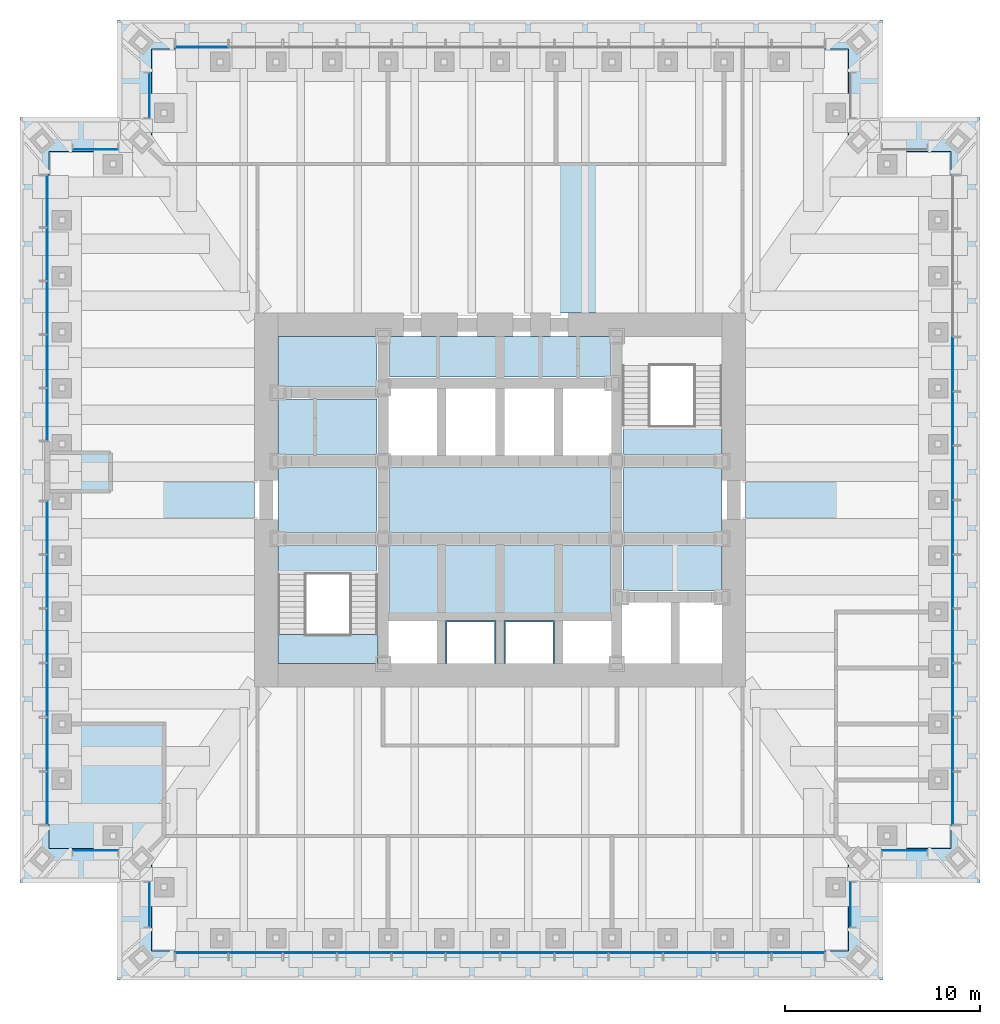
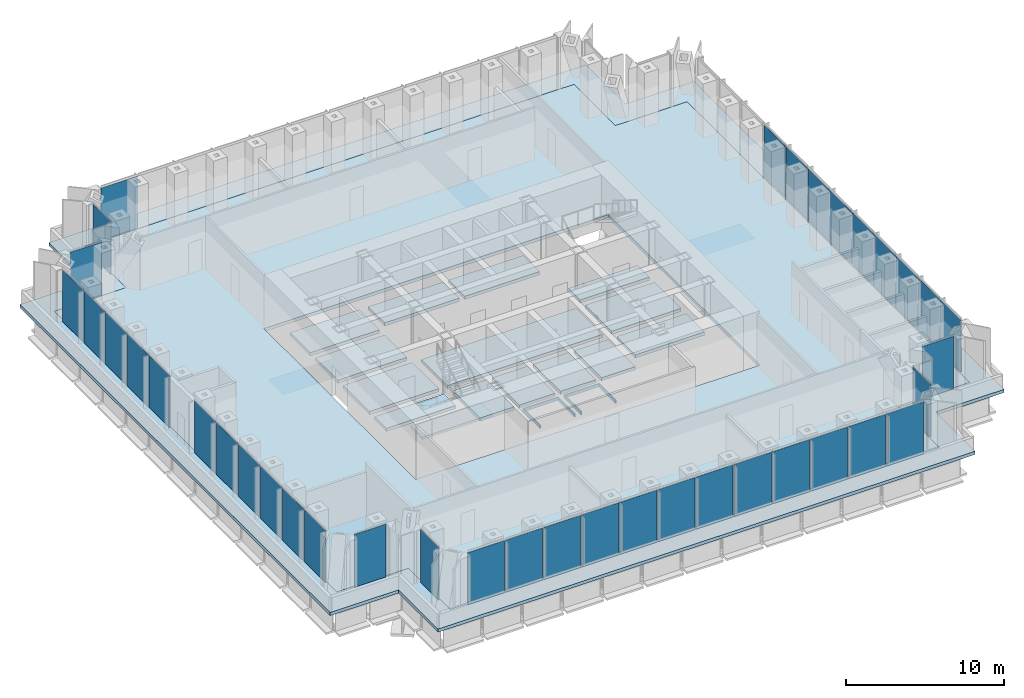
# One storey, part 7 of 13: 39 plates, 19 slabs, 12 elements without a shape of their own.
"""IFC4 building model written with IfcOpenShell, lengths in metres."""

from ifc_helpers import new_model, si_unit, direction, frame, origin, origin_2d, place, context, subcontext, project, spatial, polyline, rectangle, outline, extrude, material, layer, layer_set, type_object, element, aggregate, save


model = new_model("IFC4")

# Units and contexts
model_context = context("Model", 3, precision=1e-05, world=origin(), true_north=direction((0.0, 1.0)))
body_context = subcontext(model_context, "Body", "Model", "MODEL_VIEW")
ifc_project = project(units=[si_unit("LENGTHUNIT", "METRE"), si_unit("AREAUNIT", "SQUARE_METRE"), si_unit("VOLUMEUNIT", "CUBIC_METRE"), si_unit("PLANEANGLEUNIT", "RADIAN"), si_unit("MASSUNIT", "GRAM", prefix="KILO")], contexts=[model_context])

# Site, building, storey
site_placement = place(None, origin())
site = spatial("IfcSite", under=ifc_project, at=site_placement, CompositionType="ELEMENT")
building_placement = place(site_placement, origin())
building = spatial("IfcBuilding", under=site, at=building_placement, Name="Daluyong Arena Tower", CompositionType="ELEMENT")
storey_placement = place(building_placement, frame((0.0, 0.0, 108.10009765625)))
storey = spatial("IfcBuildingStorey", under=building, at=storey_placement, Name="L23", CompositionType="ELEMENT", Elevation=108.10009765625)

# Curtain wall, plates
ifc_material_1 = material(Name="Bronze anodised aluminium and glass", Category="aluminium")
curtain_wall_type_1 = type_object("IfcCurtainWallType", Name="Curtain wall CW2", PredefinedType="USERDEFINED", material=ifc_material_1)
curtain_wall_1_placement = place(storey_placement, origin())
curtain_wall_1 = element("IfcCurtainWall", 1, at=curtain_wall_1_placement, inside=storey, type_object=curtain_wall_type_1, Name="curtain wall L23 S", ObjectType="UNITISED CURTAIN WALL", PredefinedType="USERDEFINED")
ifc_material_2 = material(Name="Tinted double glazed unit", Category="glass")
ifc_layer_1 = layer(ifc_material_2, 0.031982421875)
ifc_layer_set_1 = layer_set([ifc_layer_1], Name="Tinted double glazed unit")
plate_type_1 = type_object("IfcPlateType", Name="CW2 panel 32", PredefinedType="CURTAIN_PANEL", material=ifc_layer_set_1)
plate_1_placement = place(storey_placement, frame((40.679931640625, 56.75, 0.0), z_axis=(0.0, 0.0, 1.0), x_axis=(1.0, 0.0, 0.0)))
plate_1 = element("IfcPlate", 2, at=plate_1_placement, type_object=plate_type_1, Name="curtain wall L23 S panel 1", PredefinedType="CURTAIN_PANEL", context=body_context, shape_type="SweptSolid", body=[
    extrude(rectangle(XDim=2.669189453125, YDim=0.031982421875, at=origin_2d()), origin(), (0.0, 0.0, 1.0), 4.02001953125),
])
plate_2_placement = place(storey_placement, frame((43.44921875, 56.75, 0.0), z_axis=(0.0, 0.0, 1.0), x_axis=(1.0, 0.0, 0.0)))
plate_2 = element("IfcPlate", 3, at=plate_2_placement, type_object=plate_type_1, Name="curtain wall L23 S panel 2", PredefinedType="CURTAIN_PANEL", context=body_context, shape_type="SweptSolid", body=[
    extrude(rectangle(XDim=2.708984375, YDim=0.031982421875, at=origin_2d()), origin(), (0.0, 0.0, 1.0), 4.02001953125),
])
plate_3_placement = place(storey_placement, frame((46.23828125, 56.75, 0.0), z_axis=(0.0, 0.0, 1.0), x_axis=(1.0, 0.0, 0.0)))
plate_3 = element("IfcPlate", 4, at=plate_3_placement, type_object=plate_type_1, Name="curtain wall L23 S panel 3", PredefinedType="CURTAIN_PANEL", context=body_context, shape_type="SweptSolid", body=[
    extrude(rectangle(XDim=2.708984375, YDim=0.031982421875, at=origin_2d()), origin(), (0.0, 0.0, 1.0), 4.02001953125),
])
plate_4_placement = place(storey_placement, frame((49.02734375, 56.75, 0.0), z_axis=(0.0, 0.0, 1.0), x_axis=(1.0, 0.0, 0.0)))
plate_4 = element("IfcPlate", 5, at=plate_4_placement, type_object=plate_type_1, Name="curtain wall L23 S panel 4", PredefinedType="CURTAIN_PANEL", context=body_context, shape_type="SweptSolid", body=[
    extrude(rectangle(XDim=2.708984375, YDim=0.031982421875, at=origin_2d()), origin(), (0.0, 0.0, 1.0), 4.02001953125),
])
plate_5_placement = place(storey_placement, frame((51.81640625, 56.75, 0.0), z_axis=(0.0, 0.0, 1.0), x_axis=(1.0, 0.0, 0.0)))
plate_5 = element("IfcPlate", 6, at=plate_5_placement, type_object=plate_type_1, Name="curtain wall L23 S panel 5", PredefinedType="CURTAIN_PANEL", context=body_context, shape_type="SweptSolid", body=[
    extrude(rectangle(XDim=2.708984375, YDim=0.031982421875, at=origin_2d()), origin(), (0.0, 0.0, 1.0), 4.02001953125),
])
plate_6_placement = place(storey_placement, frame((54.60546875, 56.75, 0.0), z_axis=(0.0, 0.0, 1.0), x_axis=(1.0, 0.0, 0.0)))
plate_6 = element("IfcPlate", 7, at=plate_6_placement, type_object=plate_type_1, Name="curtain wall L23 S panel 6", PredefinedType="CURTAIN_PANEL", context=body_context, shape_type="SweptSolid", body=[
    extrude(rectangle(XDim=2.708984375, YDim=0.031982421875, at=origin_2d()), origin(), (0.0, 0.0, 1.0), 4.02001953125),
])
plate_7_placement = place(storey_placement, frame((57.39453125, 56.75, 0.0), z_axis=(0.0, 0.0, 1.0), x_axis=(1.0, 0.0, 0.0)))
plate_7 = element("IfcPlate", 8, at=plate_7_placement, type_object=plate_type_1, Name="curtain wall L23 S panel 7", PredefinedType="CURTAIN_PANEL", context=body_context, shape_type="SweptSolid", body=[
    extrude(rectangle(XDim=2.708984375, YDim=0.031982421875, at=origin_2d()), origin(), (0.0, 0.0, 1.0), 4.02001953125),
])
plate_8_placement = place(storey_placement, frame((60.18359375, 56.75, 0.0), z_axis=(0.0, 0.0, 1.0), x_axis=(1.0, 0.0, 0.0)))
plate_8 = element("IfcPlate", 9, at=plate_8_placement, type_object=plate_type_1, Name="curtain wall L23 S panel 8", PredefinedType="CURTAIN_PANEL", context=body_context, shape_type="SweptSolid", body=[
    extrude(rectangle(XDim=2.708984375, YDim=0.031982421875, at=origin_2d()), origin(), (0.0, 0.0, 1.0), 4.02001953125),
])
plate_9_placement = place(storey_placement, frame((62.97265625, 56.75, 0.0), z_axis=(0.0, 0.0, 1.0), x_axis=(1.0, 0.0, 0.0)))
plate_9 = element("IfcPlate", 10, at=plate_9_placement, type_object=plate_type_1, Name="curtain wall L23 S panel 9", PredefinedType="CURTAIN_PANEL", context=body_context, shape_type="SweptSolid", body=[
    extrude(rectangle(XDim=2.708984375, YDim=0.031982421875, at=origin_2d()), origin(), (0.0, 0.0, 1.0), 4.02001953125),
])
plate_10_placement = place(storey_placement, frame((65.76171875, 56.75, 0.0), z_axis=(0.0, 0.0, 1.0), x_axis=(1.0, 0.0, 0.0)))
plate_10 = element("IfcPlate", 11, at=plate_10_placement, type_object=plate_type_1, Name="curtain wall L23 S panel 10", PredefinedType="CURTAIN_PANEL", context=body_context, shape_type="SweptSolid", body=[
    extrude(rectangle(XDim=2.708984375, YDim=0.031982421875, at=origin_2d()), origin(), (0.0, 0.0, 1.0), 4.02001953125),
])
plate_11_placement = place(storey_placement, frame((68.55078125, 56.75, 0.0), z_axis=(0.0, 0.0, 1.0), x_axis=(1.0, 0.0, 0.0)))
plate_11 = element("IfcPlate", 12, at=plate_11_placement, type_object=plate_type_1, Name="curtain wall L23 S panel 11", PredefinedType="CURTAIN_PANEL", context=body_context, shape_type="SweptSolid", body=[
    extrude(rectangle(XDim=2.708984375, YDim=0.031982421875, at=origin_2d()), origin(), (0.0, 0.0, 1.0), 4.02001953125),
])
plate_12_placement = place(storey_placement, frame((71.320068359375, 56.75, 0.0), z_axis=(0.0, 0.0, 1.0), x_axis=(1.0, 0.0, 0.0)))
plate_12 = element("IfcPlate", 13, at=plate_12_placement, type_object=plate_type_1, Name="curtain wall L23 S panel 12", PredefinedType="CURTAIN_PANEL", context=body_context, shape_type="SweptSolid", body=[
    extrude(rectangle(XDim=2.669189453125, YDim=0.031982421875, at=origin_2d()), origin(), (0.0, 0.0, 1.0), 4.02001953125),
])
aggregate(curtain_wall_1, [plate_1, plate_2, plate_3, plate_4, plate_5, plate_6, plate_7, plate_8, plate_9, plate_10, plate_11, plate_12])

curtain_wall_2_placement = place(storey_placement, origin())
curtain_wall_2 = element("IfcCurtainWall", 14, at=curtain_wall_2_placement, inside=storey, type_object=curtain_wall_type_1, Name="curtain wall L23 E", ObjectType="UNITISED CURTAIN WALL", PredefinedType="USERDEFINED")
plate_13_placement = place(storey_placement, frame((79.25, 64.679931640625, 0.0), z_axis=(0.0, 0.0, 1.0), x_axis=(0.0, 1.0, 0.0)))
plate_13 = element("IfcPlate", 15, at=plate_13_placement, type_object=plate_type_1, Name="curtain wall L23 E panel 1", PredefinedType="CURTAIN_PANEL", context=body_context, shape_type="SweptSolid", body=[
    extrude(rectangle(XDim=2.669189453125, YDim=0.031982421875, at=origin_2d()), origin(), (0.0, 0.0, 1.0), 4.02001953125),
])
plate_14_placement = place(storey_placement, frame((79.25, 67.44921875, 0.0), z_axis=(0.0, 0.0, 1.0), x_axis=(0.0, 1.0, 0.0)))
plate_14 = element("IfcPlate", 16, at=plate_14_placement, type_object=plate_type_1, Name="curtain wall L23 E panel 2", PredefinedType="CURTAIN_PANEL", context=body_context, shape_type="SweptSolid", body=[
    extrude(rectangle(XDim=2.708984375, YDim=0.031982421875, at=origin_2d()), origin(), (0.0, 0.0, 1.0), 4.02001953125),
])
plate_15_placement = place(storey_placement, frame((79.25, 70.23828125, 0.0), z_axis=(0.0, 0.0, 1.0), x_axis=(0.0, 1.0, 0.0)))
plate_15 = element("IfcPlate", 17, at=plate_15_placement, type_object=plate_type_1, Name="curtain wall L23 E panel 3", PredefinedType="CURTAIN_PANEL", context=body_context, shape_type="SweptSolid", body=[
    extrude(rectangle(XDim=2.708984375, YDim=0.031982421875, at=origin_2d()), origin(), (0.0, 0.0, 1.0), 4.02001953125),
])
plate_16_placement = place(storey_placement, frame((79.25, 73.02734375, 0.0), z_axis=(0.0, 0.0, 1.0), x_axis=(0.0, 1.0, 0.0)))
plate_16 = element("IfcPlate", 18, at=plate_16_placement, type_object=plate_type_1, Name="curtain wall L23 E panel 4", PredefinedType="CURTAIN_PANEL", context=body_context, shape_type="SweptSolid", body=[
    extrude(rectangle(XDim=2.708984375, YDim=0.031982421875, at=origin_2d()), origin(), (0.0, 0.0, 1.0), 4.02001953125),
])
plate_17_placement = place(storey_placement, frame((79.25, 75.81640625, 0.0), z_axis=(0.0, 0.0, 1.0), x_axis=(0.0, 1.0, 0.0)))
plate_17 = element("IfcPlate", 19, at=plate_17_placement, type_object=plate_type_1, Name="curtain wall L23 E panel 5", PredefinedType="CURTAIN_PANEL", context=body_context, shape_type="SweptSolid", body=[
    extrude(rectangle(XDim=2.708984375, YDim=0.031982421875, at=origin_2d()), origin(), (0.0, 0.0, 1.0), 4.02001953125),
])
plate_18_placement = place(storey_placement, frame((79.25, 78.60546875, 0.0), z_axis=(0.0, 0.0, 1.0), x_axis=(0.0, 1.0, 0.0)))
plate_18 = element("IfcPlate", 20, at=plate_18_placement, type_object=plate_type_1, Name="curtain wall L23 E panel 6", PredefinedType="CURTAIN_PANEL", context=body_context, shape_type="SweptSolid", body=[
    extrude(rectangle(XDim=2.708984375, YDim=0.031982421875, at=origin_2d()), origin(), (0.0, 0.0, 1.0), 4.02001953125),
])
plate_19_placement = place(storey_placement, frame((79.25, 81.39453125, 0.0), z_axis=(0.0, 0.0, 1.0), x_axis=(0.0, 1.0, 0.0)))
plate_19 = element("IfcPlate", 21, at=plate_19_placement, type_object=plate_type_1, Name="curtain wall L23 E panel 7", PredefinedType="CURTAIN_PANEL", context=body_context, shape_type="SweptSolid", body=[
    extrude(rectangle(XDim=2.708984375, YDim=0.031982421875, at=origin_2d()), origin(), (0.0, 0.0, 1.0), 4.02001953125),
])
plate_20_placement = place(storey_placement, frame((79.25, 84.18359375, 0.0), z_axis=(0.0, 0.0, 1.0), x_axis=(0.0, 1.0, 0.0)))
plate_20 = element("IfcPlate", 22, at=plate_20_placement, type_object=plate_type_1, Name="curtain wall L23 E panel 8", PredefinedType="CURTAIN_PANEL", context=body_context, shape_type="SweptSolid", body=[
    extrude(rectangle(XDim=2.708984375, YDim=0.031982421875, at=origin_2d()), origin(), (0.0, 0.0, 1.0), 4.02001953125),
])
plate_21_placement = place(storey_placement, frame((79.25, 86.97265625, 0.0), z_axis=(0.0, 0.0, 1.0), x_axis=(0.0, 1.0, 0.0)))
plate_21 = element("IfcPlate", 23, at=plate_21_placement, type_object=plate_type_1, Name="curtain wall L23 E panel 9", PredefinedType="CURTAIN_PANEL", context=body_context, shape_type="SweptSolid", body=[
    extrude(rectangle(XDim=2.708984375, YDim=0.031982421875, at=origin_2d()), origin(), (0.0, 0.0, 1.0), 4.02001953125),
])
aggregate(curtain_wall_2, [plate_13, plate_14, plate_15, plate_16, plate_17, plate_18, plate_19, plate_20, plate_21])

# Curtain wall, plate
curtain_wall_3_placement = place(storey_placement, origin())
curtain_wall_3 = element("IfcCurtainWall", 24, at=curtain_wall_3_placement, inside=storey, type_object=curtain_wall_type_1, Name="curtain wall L23 N", ObjectType="UNITISED CURTAIN WALL", PredefinedType="USERDEFINED")
plate_22_placement = place(storey_placement, frame((40.679931640625, 103.25, 0.0), z_axis=(0.0, 0.0, 1.0), x_axis=(-1.0, 0.0, 0.0)))
plate_22 = element("IfcPlate", 25, at=plate_22_placement, type_object=plate_type_1, Name="curtain wall L23 N panel 12", PredefinedType="CURTAIN_PANEL", context=body_context, shape_type="SweptSolid", body=[
    extrude(rectangle(XDim=2.669189453125, YDim=0.031982421875, at=origin_2d()), origin(), (0.0, 0.0, 1.0), 4.02001953125),
])
aggregate(curtain_wall_3, [plate_22])

# Curtain wall, plates
curtain_wall_4_placement = place(storey_placement, origin())
curtain_wall_4 = element("IfcCurtainWall", 26, at=curtain_wall_4_placement, inside=storey, type_object=curtain_wall_type_1, Name="curtain wall L23 W part 1", ObjectType="UNITISED CURTAIN WALL", PredefinedType="USERDEFINED")
plate_23_placement = place(storey_placement, frame((32.75, 95.341064453125, 0.0), z_axis=(0.0, 0.0, 1.0), x_axis=(0.0, -1.0, 0.0)))
plate_23 = element("IfcPlate", 27, at=plate_23_placement, type_object=plate_type_1, Name="curtain wall L23 W part 1 panel 1", PredefinedType="CURTAIN_PANEL", context=body_context, shape_type="SweptSolid", body=[
    extrude(rectangle(XDim=2.626953125, YDim=0.031982421875, at=origin_2d()), origin(), (0.0, 0.0, 1.0), 4.02001953125),
])
plate_24_placement = place(storey_placement, frame((32.75, 92.6142578125, 0.0), z_axis=(0.0, 0.0, 1.0), x_axis=(0.0, -1.0, 0.0)))
plate_24 = element("IfcPlate", 28, at=plate_24_placement, type_object=plate_type_1, Name="curtain wall L23 W part 1 panel 2", PredefinedType="CURTAIN_PANEL", context=body_context, shape_type="SweptSolid", body=[
    extrude(rectangle(XDim=2.6669921875, YDim=0.031982421875, at=origin_2d()), origin(), (0.0, 0.0, 1.0), 4.02001953125),
])
plate_25_placement = place(storey_placement, frame((32.75, 89.8671875, 0.0), z_axis=(0.0, 0.0, 1.0), x_axis=(0.0, -1.0, 0.0)))
plate_25 = element("IfcPlate", 29, at=plate_25_placement, type_object=plate_type_1, Name="curtain wall L23 W part 1 panel 3", PredefinedType="CURTAIN_PANEL", context=body_context, shape_type="SweptSolid", body=[
    extrude(rectangle(XDim=2.6669921875, YDim=0.031982421875, at=origin_2d()), origin(), (0.0, 0.0, 1.0), 4.02001953125),
])
plate_26_placement = place(storey_placement, frame((32.75, 87.120361328125, 0.0), z_axis=(0.0, 0.0, 1.0), x_axis=(0.0, -1.0, 0.0)))
plate_26 = element("IfcPlate", 30, at=plate_26_placement, type_object=plate_type_1, Name="curtain wall L23 W part 1 panel 4", PredefinedType="CURTAIN_PANEL", context=body_context, shape_type="SweptSolid", body=[
    extrude(rectangle(XDim=2.6669921875, YDim=0.031982421875, at=origin_2d()), origin(), (0.0, 0.0, 1.0), 4.02001953125),
])
plate_27_placement = place(storey_placement, frame((32.75, 84.3935546875, 0.0), z_axis=(0.0, 0.0, 1.0), x_axis=(0.0, -1.0, 0.0)))
plate_27 = element("IfcPlate", 31, at=plate_27_placement, type_object=plate_type_1, Name="curtain wall L23 W part 1 panel 5", PredefinedType="CURTAIN_PANEL", context=body_context, shape_type="SweptSolid", body=[
    extrude(rectangle(XDim=2.626953125, YDim=0.031982421875, at=origin_2d()), origin(), (0.0, 0.0, 1.0), 4.02001953125),
])
aggregate(curtain_wall_4, [plate_23, plate_24, plate_25, plate_26, plate_27])

curtain_wall_5_placement = place(storey_placement, origin())
curtain_wall_5 = element("IfcCurtainWall", 32, at=curtain_wall_5_placement, inside=storey, type_object=curtain_wall_type_1, Name="curtain wall L23 W part 2", ObjectType="UNITISED CURTAIN WALL", PredefinedType="USERDEFINED")
plate_28_placement = place(storey_placement, frame((32.75, 78.58544921875, 0.0), z_axis=(0.0, 0.0, 1.0), x_axis=(0.0, -1.0, 0.0)))
plate_28 = element("IfcPlate", 33, at=plate_28_placement, type_object=plate_type_1, Name="curtain wall L23 W part 2 panel 1", PredefinedType="CURTAIN_PANEL", context=body_context, shape_type="SweptSolid", body=[
    extrude(rectangle(XDim=2.669189453125, YDim=0.031982421875, at=origin_2d()), origin(), (0.0, 0.0, 1.0), 4.02001953125),
])
plate_29_placement = place(storey_placement, frame((32.75, 75.81640625, 0.0), z_axis=(0.0, 0.0, 1.0), x_axis=(0.0, -1.0, 0.0)))
plate_29 = element("IfcPlate", 34, at=plate_29_placement, type_object=plate_type_1, Name="curtain wall L23 W part 2 panel 2", PredefinedType="CURTAIN_PANEL", context=body_context, shape_type="SweptSolid", body=[
    extrude(rectangle(XDim=2.708984375, YDim=0.031982421875, at=origin_2d()), origin(), (0.0, 0.0, 1.0), 4.02001953125),
])
plate_30_placement = place(storey_placement, frame((32.75, 73.02734375, 0.0), z_axis=(0.0, 0.0, 1.0), x_axis=(0.0, -1.0, 0.0)))
plate_30 = element("IfcPlate", 35, at=plate_30_placement, type_object=plate_type_1, Name="curtain wall L23 W part 2 panel 3", PredefinedType="CURTAIN_PANEL", context=body_context, shape_type="SweptSolid", body=[
    extrude(rectangle(XDim=2.708984375, YDim=0.031982421875, at=origin_2d()), origin(), (0.0, 0.0, 1.0), 4.02001953125),
])
plate_31_placement = place(storey_placement, frame((32.75, 70.23828125, 0.0), z_axis=(0.0, 0.0, 1.0), x_axis=(0.0, -1.0, 0.0)))
plate_31 = element("IfcPlate", 36, at=plate_31_placement, type_object=plate_type_1, Name="curtain wall L23 W part 2 panel 4", PredefinedType="CURTAIN_PANEL", context=body_context, shape_type="SweptSolid", body=[
    extrude(rectangle(XDim=2.708984375, YDim=0.031982421875, at=origin_2d()), origin(), (0.0, 0.0, 1.0), 4.02001953125),
])
plate_32_placement = place(storey_placement, frame((32.75, 67.44921875, 0.0), z_axis=(0.0, 0.0, 1.0), x_axis=(0.0, -1.0, 0.0)))
plate_32 = element("IfcPlate", 37, at=plate_32_placement, type_object=plate_type_1, Name="curtain wall L23 W part 2 panel 5", PredefinedType="CURTAIN_PANEL", context=body_context, shape_type="SweptSolid", body=[
    extrude(rectangle(XDim=2.708984375, YDim=0.031982421875, at=origin_2d()), origin(), (0.0, 0.0, 1.0), 4.02001953125),
])
plate_33_placement = place(storey_placement, frame((32.75, 64.679931640625, 0.0), z_axis=(0.0, 0.0, 1.0), x_axis=(0.0, -1.0, 0.0)))
plate_33 = element("IfcPlate", 38, at=plate_33_placement, type_object=plate_type_1, Name="curtain wall L23 W part 2 panel 6", PredefinedType="CURTAIN_PANEL", context=body_context, shape_type="SweptSolid", body=[
    extrude(rectangle(XDim=2.669189453125, YDim=0.031982421875, at=origin_2d()), origin(), (0.0, 0.0, 1.0), 4.02001953125),
])
aggregate(curtain_wall_5, [plate_28, plate_29, plate_30, plate_31, plate_32, plate_33])

# Curtain wall, plate
ifc_material_3 = material(Name="Bronze anodised aluminium and glass", Category="aluminium")
curtain_wall_type_2 = type_object("IfcCurtainWallType", Name="Curtain wall CW7", PredefinedType="USERDEFINED", material=ifc_material_3)
curtain_wall_6_placement = place(storey_placement, origin())
curtain_wall_6 = element("IfcCurtainWall", 39, at=curtain_wall_6_placement, inside=storey, type_object=curtain_wall_type_2, Name="curtain wall L23 SE-E", ObjectType="UNITISED CURTAIN WALL", PredefinedType="USERDEFINED")
ifc_material_4 = material(Name="Tinted double glazed unit", Category="glass")
ifc_layer_2 = layer(ifc_material_4, 0.028076171875)
ifc_layer_set_2 = layer_set([ifc_layer_2], Name="Tinted double glazed unit")
plate_type_2 = type_object("IfcPlateType", Name="CW7 panel 28", PredefinedType="CURTAIN_PANEL", material=ifc_layer_set_2)
plate_34_placement = place(storey_placement, frame((74.0, 59.228515625, -0.000244140625), z_axis=(0.0, 0.0, 1.0), x_axis=(0.0, 1.0, 0.0)))
plate_34 = element("IfcPlate", 40, at=plate_34_placement, type_object=plate_type_2, Name="curtain wall L23 SE-E panel 1", PredefinedType="CURTAIN_PANEL", context=body_context, shape_type="SweptSolid", body=[
    extrude(rectangle(XDim=2.27880859375, YDim=0.028076171875, at=origin_2d()), origin(), (0.0, 0.0, 1.0), 4.080078125),
])
aggregate(curtain_wall_6, [plate_34])

curtain_wall_7_placement = place(storey_placement, origin())
curtain_wall_7 = element("IfcCurtainWall", 41, at=curtain_wall_7_placement, inside=storey, type_object=curtain_wall_type_2, Name="curtain wall L23 SE-S", ObjectType="UNITISED CURTAIN WALL", PredefinedType="USERDEFINED")
plate_35_placement = place(storey_placement, frame((76.771484375, 62.0, -0.000244140625), z_axis=(0.0, 0.0, 1.0), x_axis=(1.0, 0.0, 0.0)))
plate_35 = element("IfcPlate", 42, at=plate_35_placement, type_object=plate_type_2, Name="curtain wall L23 SE-S panel 1", PredefinedType="CURTAIN_PANEL", context=body_context, shape_type="SweptSolid", body=[
    extrude(rectangle(XDim=2.27880859375, YDim=0.028076171875, at=origin_2d()), origin(), (0.0, 0.0, 1.0), 4.080078125),
])
aggregate(curtain_wall_7, [plate_35])

curtain_wall_8_placement = place(storey_placement, origin())
curtain_wall_8 = element("IfcCurtainWall", 43, at=curtain_wall_8_placement, inside=storey, type_object=curtain_wall_type_2, Name="curtain wall L23 NW-W", ObjectType="UNITISED CURTAIN WALL", PredefinedType="USERDEFINED")
plate_36_placement = place(storey_placement, frame((38.0, 100.771484375, -0.000244140625), z_axis=(0.0, 0.0, 1.0), x_axis=(0.0, -1.0, 0.0)))
plate_36 = element("IfcPlate", 44, at=plate_36_placement, type_object=plate_type_2, Name="curtain wall L23 NW-W panel 1", PredefinedType="CURTAIN_PANEL", context=body_context, shape_type="SweptSolid", body=[
    extrude(rectangle(XDim=2.27880859375, YDim=0.028076171875, at=origin_2d()), origin(), (0.0, 0.0, 1.0), 4.080078125),
])
aggregate(curtain_wall_8, [plate_36])

curtain_wall_9_placement = place(storey_placement, origin())
curtain_wall_9 = element("IfcCurtainWall", 45, at=curtain_wall_9_placement, inside=storey, type_object=curtain_wall_type_2, Name="curtain wall L23 NW-N", ObjectType="UNITISED CURTAIN WALL", PredefinedType="USERDEFINED")
plate_37_placement = place(storey_placement, frame((35.228515625, 98.0, -0.000244140625), z_axis=(0.0, 0.0, 1.0), x_axis=(-1.0, 0.0, 0.0)))
plate_37 = element("IfcPlate", 46, at=plate_37_placement, type_object=plate_type_2, Name="curtain wall L23 NW-N panel 1", PredefinedType="CURTAIN_PANEL", context=body_context, shape_type="SweptSolid", body=[
    extrude(rectangle(XDim=2.27880859375, YDim=0.028076171875, at=origin_2d()), origin(), (0.0, 0.0, 1.0), 4.080078125),
])
aggregate(curtain_wall_9, [plate_37])

curtain_wall_10_placement = place(storey_placement, origin())
curtain_wall_10 = element("IfcCurtainWall", 47, at=curtain_wall_10_placement, inside=storey, type_object=curtain_wall_type_2, Name="curtain wall L23 SW-S", ObjectType="UNITISED CURTAIN WALL", PredefinedType="USERDEFINED")
plate_38_placement = place(storey_placement, frame((35.228515625, 62.0, -0.000244140625), z_axis=(0.0, 0.0, 1.0), x_axis=(1.0, 0.0, 0.0)))
plate_38 = element("IfcPlate", 48, at=plate_38_placement, type_object=plate_type_2, Name="curtain wall L23 SW-S panel 1", PredefinedType="CURTAIN_PANEL", context=body_context, shape_type="SweptSolid", body=[
    extrude(rectangle(XDim=2.27880859375, YDim=0.028076171875, at=origin_2d()), origin(), (0.0, 0.0, 1.0), 4.080078125),
])
aggregate(curtain_wall_10, [plate_38])

curtain_wall_11_placement = place(storey_placement, origin())
curtain_wall_11 = element("IfcCurtainWall", 49, at=curtain_wall_11_placement, inside=storey, type_object=curtain_wall_type_2, Name="curtain wall L23 SW-W", ObjectType="UNITISED CURTAIN WALL", PredefinedType="USERDEFINED")
plate_39_placement = place(storey_placement, frame((38.0, 59.228515625, -0.000244140625), z_axis=(0.0, 0.0, 1.0), x_axis=(0.0, -1.0, 0.0)))
plate_39 = element("IfcPlate", 50, at=plate_39_placement, type_object=plate_type_2, Name="curtain wall L23 SW-W panel 1", PredefinedType="CURTAIN_PANEL", context=body_context, shape_type="SweptSolid", body=[
    extrude(rectangle(XDim=2.27880859375, YDim=0.028076171875, at=origin_2d()), origin(), (0.0, 0.0, 1.0), 4.080078125),
])
aggregate(curtain_wall_11, [plate_39])

# Slabs
ifc_material_5 = material(Name="Concrete fc' 35 MPa", Category="concrete")
ifc_layer_3 = layer(ifc_material_5, 0.25)
ifc_layer_set_3 = layer_set([ifc_layer_3], Name="Concrete fc' 35 MPa")
slab_type_1 = type_object("IfcSlabType", Name="Plant floor slab 250", PredefinedType="FLOOR", material=ifc_layer_set_3)
slab_1_placement = place(storey_placement, frame((0.0, 0.0, -0.25)))
element("IfcSlab", 51, at=slab_1_placement, inside=storey, type_object=slab_type_1, Name="floor L23 part 1", PredefinedType="FLOOR", context=body_context, shape_type="SweptSolid", body=[
    extrude(outline(polyline([(49.675048828125, 76.175048828125), (49.675048828125, 77.675048828125), (44.60009765625, 77.675048828125), (44.60009765625, 76.175048828125), (49.675048828125, 76.175048828125)])), origin(), (0.0, 0.0, 1.0), 0.25),
])
slab_2_placement = place(storey_placement, frame((0.0, 0.0, -0.25)))
element("IfcSlab", 52, at=slab_2_placement, inside=storey, type_object=slab_type_1, Name="floor L23 part 2", PredefinedType="FLOOR", context=body_context, shape_type="SweptSolid", body=[
    extrude(outline(polyline([(44.60009765625, 78.324951171875), (49.675048828125, 78.324951171875), (49.675048828125, 81.675048828125), (44.60009765625, 81.675048828125), (44.60009765625, 78.324951171875)])), origin(), (0.0, 0.0, 1.0), 0.25),
])
slab_3_placement = place(storey_placement, frame((0.0, 0.0, -0.25)))
element("IfcSlab", 53, at=slab_3_placement, inside=storey, type_object=slab_type_1, Name="floor L23 part 3", PredefinedType="FLOOR", context=body_context, shape_type="SweptSolid", body=[
    extrude(outline(polyline([(44.60009765625, 82.324951171875), (49.675048828125, 82.324951171875), (49.675048828125, 85.175048828125), (44.60009765625, 85.175048828125), (44.60009765625, 82.324951171875)])), origin(), (0.0, 0.0, 1.0), 0.25),
])
slab_4_placement = place(storey_placement, frame((0.0, 0.0, -0.25)))
element("IfcSlab", 54, at=slab_4_placement, inside=storey, type_object=slab_type_1, Name="floor L23 part 4", PredefinedType="FLOOR", context=body_context, shape_type="SweptSolid", body=[
    extrude(outline(polyline([(49.675048828125, 88.39990234375), (44.60009765625, 88.39990234375), (44.60009765625, 85.824951171875), (49.675048828125, 85.824951171875), (49.675048828125, 88.39990234375)])), origin(), (0.0, 0.0, 1.0), 0.25),
])
slab_5_placement = place(storey_placement, frame((0.0, 0.0, -0.25)))
element("IfcSlab", 55, at=slab_5_placement, inside=storey, type_object=slab_type_1, Name="floor L23 part 5", PredefinedType="FLOOR", context=body_context, shape_type="SweptSolid", body=[
    extrude(outline(polyline([(52.800048828125, 77.675048828125), (50.324951171875, 77.675048828125), (50.324951171875, 74.199951171875), (52.800048828125, 74.199951171875), (52.800048828125, 77.675048828125)])), origin(), (0.0, 0.0, 1.0), 0.25),
])
slab_6_placement = place(storey_placement, frame((0.0, 0.0, -0.25)))
element("IfcSlab", 56, at=slab_6_placement, inside=storey, type_object=slab_type_1, Name="floor L23 part 6", PredefinedType="FLOOR", context=body_context, shape_type="SweptSolid", body=[
    extrude(outline(polyline([(55.800048828125, 88.39990234375), (50.324951171875, 88.39990234375), (50.324951171875, 86.324951171875), (55.800048828125, 86.324951171875), (55.800048828125, 88.39990234375)])), origin(), (0.0, 0.0, 1.0), 0.25),
])
slab_7_placement = place(storey_placement, frame((0.0, 0.0, -0.25)))
element("IfcSlab", 57, at=slab_7_placement, inside=storey, type_object=slab_type_1, Name="floor L23 part 7", PredefinedType="FLOOR", context=body_context, shape_type="SweptSolid", body=[
    extrude(outline(polyline([(55.72509765625, 73.72509765625), (55.72509765625, 71.60009765625), (55.800048828125, 71.60009765625), (55.800048828125, 73.800048828125), (53.199951171875, 73.800048828125), (53.199951171875, 71.60009765625), (53.27490234375, 71.60009765625), (53.27490234375, 73.72509765625), (55.72509765625, 73.72509765625)])), origin(), (0.0, 0.0, 1.0), 0.25),
])
slab_8_placement = place(storey_placement, frame((0.0, 0.0, -0.25)))
element("IfcSlab", 58, at=slab_8_placement, inside=storey, type_object=slab_type_1, Name="floor L23 part 8", PredefinedType="FLOOR", context=body_context, shape_type="SweptSolid", body=[
    extrude(outline(polyline([(55.800048828125, 77.675048828125), (53.199951171875, 77.675048828125), (53.199951171875, 74.199951171875), (55.800048828125, 74.199951171875), (55.800048828125, 77.675048828125)])), origin(), (0.0, 0.0, 1.0), 0.25),
])
slab_9_placement = place(storey_placement, frame((0.0, 0.0, -0.25)))
element("IfcSlab", 59, at=slab_9_placement, inside=storey, type_object=slab_type_1, Name="floor L23 part 9", PredefinedType="FLOOR", context=body_context, shape_type="SweptSolid", body=[
    extrude(outline(polyline([(38.10009765625, 62.10009765625), (38.10009765625, 56.85009765625), (73.89990234375, 56.85009765625), (73.89990234375, 62.10009765625), (79.14990234375, 62.10009765625), (79.14990234375, 97.89990234375), (73.89990234375, 97.89990234375), (73.89990234375, 103.14990234375), (38.10009765625, 103.14990234375), (38.10009765625, 97.89990234375), (32.85009765625, 97.89990234375), (32.85009765625, 62.10009765625), (38.10009765625, 62.10009765625)]), holes=[polyline([(68.60009765625, 89.60009765625), (68.60009765625, 70.39990234375), (43.39990234375, 70.39990234375), (43.39990234375, 89.60009765625), (68.60009765625, 89.60009765625)])]), origin(), (0.0, 0.0, 1.0), 0.25),
])
slab_10_placement = place(storey_placement, frame((0.0, 0.0, -0.25)))
element("IfcSlab", 60, at=slab_10_placement, inside=storey, type_object=slab_type_1, Name="floor L23 part 10", PredefinedType="FLOOR", context=body_context, shape_type="SweptSolid", body=[
    extrude(outline(polyline([(61.675048828125, 78.324951171875), (61.675048828125, 81.675048828125), (50.324951171875, 81.675048828125), (50.324951171875, 78.324951171875), (61.675048828125, 78.324951171875)])), origin(), (0.0, 0.0, 1.0), 0.25),
])
slab_11_placement = place(storey_placement, frame((0.0, 0.0, -0.25)))
element("IfcSlab", 61, at=slab_11_placement, inside=storey, type_object=slab_type_1, Name="floor L23 part 11", PredefinedType="FLOOR", context=body_context, shape_type="SweptSolid", body=[
    extrude(outline(polyline([(58.800048828125, 71.60009765625), (58.800048828125, 73.800048828125), (56.199951171875, 73.800048828125), (56.199951171875, 71.60009765625), (56.27490234375, 71.60009765625), (56.27490234375, 73.72509765625), (58.72509765625, 73.72509765625), (58.72509765625, 71.60009765625), (58.800048828125, 71.60009765625)])), origin(), (0.0, 0.0, 1.0), 0.25),
])
slab_12_placement = place(storey_placement, frame((0.0, 0.0, -0.25)))
element("IfcSlab", 62, at=slab_12_placement, inside=storey, type_object=slab_type_1, Name="floor L23 part 12", PredefinedType="FLOOR", context=body_context, shape_type="SweptSolid", body=[
    extrude(outline(polyline([(58.800048828125, 77.675048828125), (56.199951171875, 77.675048828125), (56.199951171875, 74.199951171875), (58.800048828125, 74.199951171875), (58.800048828125, 77.675048828125)])), origin(), (0.0, 0.0, 1.0), 0.25),
])
slab_13_placement = place(storey_placement, frame((0.0, 0.0, -0.25)))
element("IfcSlab", 63, at=slab_13_placement, inside=storey, type_object=slab_type_1, Name="floor L23 part 13", PredefinedType="FLOOR", context=body_context, shape_type="SweptSolid", body=[
    extrude(outline(polyline([(56.199951171875, 88.39990234375), (56.199951171875, 86.324951171875), (61.675048828125, 86.324951171875), (61.675048828125, 88.39990234375), (56.199951171875, 88.39990234375)])), origin(), (0.0, 0.0, 1.0), 0.25),
])
slab_14_placement = place(storey_placement, frame((0.0, 0.0, -0.25)))
element("IfcSlab", 64, at=slab_14_placement, inside=storey, type_object=slab_type_1, Name="floor L23 part 14", PredefinedType="FLOOR", context=body_context, shape_type="SweptSolid", body=[
    extrude(outline(polyline([(59.199951171875, 77.675048828125), (59.199951171875, 74.199951171875), (61.675048828125, 74.199951171875), (61.675048828125, 77.675048828125), (59.199951171875, 77.675048828125)])), origin(), (0.0, 0.0, 1.0), 0.25),
])
slab_15_placement = place(storey_placement, frame((0.0, 0.0, -0.25)))
element("IfcSlab", 65, at=slab_15_placement, inside=storey, type_object=slab_type_1, Name="floor L23 part 15", PredefinedType="FLOOR", context=body_context, shape_type="SweptSolid", body=[
    extrude(outline(polyline([(62.324951171875, 75.324951171875), (67.39990234375, 75.324951171875), (67.39990234375, 77.675048828125), (62.324951171875, 77.675048828125), (62.324951171875, 75.324951171875)])), origin(), (0.0, 0.0, 1.0), 0.25),
])
slab_16_placement = place(storey_placement, frame((0.0, 0.0, -0.25)))
element("IfcSlab", 66, at=slab_16_placement, inside=storey, type_object=slab_type_1, Name="floor L23 part 16", PredefinedType="FLOOR", context=body_context, shape_type="SweptSolid", body=[
    extrude(outline(polyline([(62.324951171875, 78.324951171875), (67.39990234375, 78.324951171875), (67.39990234375, 81.675048828125), (62.324951171875, 81.675048828125), (62.324951171875, 78.324951171875)])), origin(), (0.0, 0.0, 1.0), 0.25),
])
slab_17_placement = place(storey_placement, frame((0.0, 0.0, -0.25)))
element("IfcSlab", 67, at=slab_17_placement, inside=storey, type_object=slab_type_1, Name="floor L23 part 17", PredefinedType="FLOOR", context=body_context, shape_type="SweptSolid", body=[
    extrude(outline(polyline([(62.324951171875, 82.324951171875), (67.39990234375, 82.324951171875), (67.39990234375, 83.824951171875), (62.324951171875, 83.824951171875), (62.324951171875, 82.324951171875)])), origin(), (0.0, 0.0, 1.0), 0.25),
])
ifc_material_6 = material(Name="Concrete fc' 35 MPa", Category="concrete")
ifc_layer_4 = layer(ifc_material_6, 0.25)
ifc_layer_set_4 = layer_set([ifc_layer_4], Name="Concrete fc' 35 MPa")
slab_type_2 = type_object("IfcSlabType", Name="Setback roof slab 250", PredefinedType="ROOF", material=ifc_layer_set_4)
slab_18_placement = place(storey_placement, frame((0.0, 0.0, -0.25)))
element("IfcSlab", 68, at=slab_18_placement, inside=storey, type_object=slab_type_2, Name="setback maintenance roof at L23", PredefinedType="ROOF", context=body_context, shape_type="SweptSolid", body=[
    extrude(outline(polyline([(36.35009765625, 60.35009765625), (36.35009765625, 55.35009765625), (75.64990234375, 55.35009765625), (75.64990234375, 60.35009765625), (80.64990234375, 60.35009765625), (80.64990234375, 99.64990234375), (75.64990234375, 99.64990234375), (75.64990234375, 104.64990234375), (36.35009765625, 104.64990234375), (36.35009765625, 99.64990234375), (31.35009765625, 99.64990234375), (31.35009765625, 60.35009765625), (36.35009765625, 60.35009765625)]), holes=[polyline([(73.89990234375, 56.85009765625), (38.10009765625, 56.85009765625), (38.10009765625, 62.10009765625), (32.85009765625, 62.10009765625), (32.85009765625, 97.89990234375), (38.10009765625, 97.89990234375), (38.10009765625, 103.14990234375), (73.89990234375, 103.14990234375), (73.89990234375, 97.89990234375), (79.14990234375, 97.89990234375), (79.14990234375, 62.10009765625), (73.89990234375, 62.10009765625), (73.89990234375, 56.85009765625)])]), origin(), (0.0, 0.0, 1.0), 0.25),
])

# Stair, slab
ifc_material_7 = material(Name="Concrete fc' 35 MPa", Category="concrete")
stair_type = type_object("IfcStairType", Name="Core exit stair", PredefinedType="HALF_TURN_STAIR", material=ifc_material_7)
stair_placement = place(storey_placement, origin())
stair = element("IfcStair", 69, at=stair_placement, inside=storey, type_object=stair_type, Name="exit stair A L23", PredefinedType="HALF_TURN_STAIR")
ifc_material_8 = material(Name="Concrete fc' 35 MPa", Category="concrete")
ifc_layer_5 = layer(ifc_material_8, 0.199951171875)
ifc_layer_set_5 = layer_set([ifc_layer_5], Name="Concrete fc' 35 MPa")
slab_type_3 = type_object("IfcSlabType", Name="Stair landing 200", PredefinedType="LANDING", material=ifc_layer_set_5)
slab_19_placement = place(storey_placement, frame((0.0, 0.0, 1.89990234375)))
slab_19 = element("IfcSlab", 70, at=slab_19_placement, type_object=slab_type_3, Name="STA landing 1", PredefinedType="LANDING", context=body_context, shape_type="SweptSolid", body=[
    extrude(outline(polyline([(44.60009765625, 71.60009765625), (49.72509765625, 71.60009765625), (49.72509765625, 73.094970703125), (44.60009765625, 73.094970703125), (44.60009765625, 71.60009765625)])), origin(), (0.0, 0.0, 1.0), 0.199951171875),
])
aggregate(stair, [slab_19])

save(model, "model.ifc")
